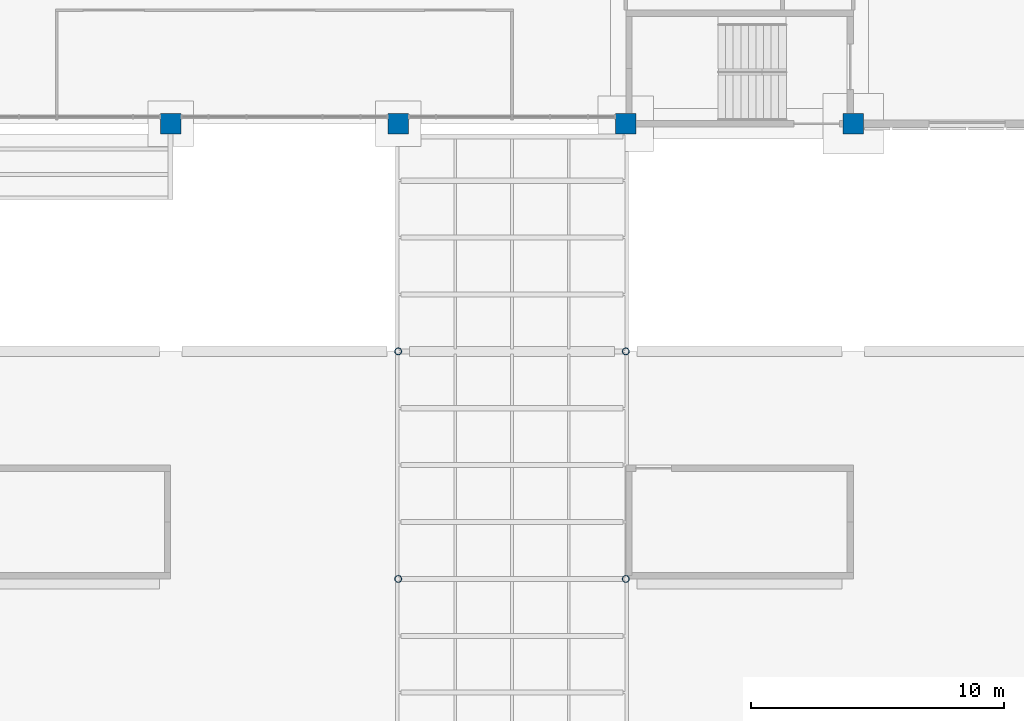
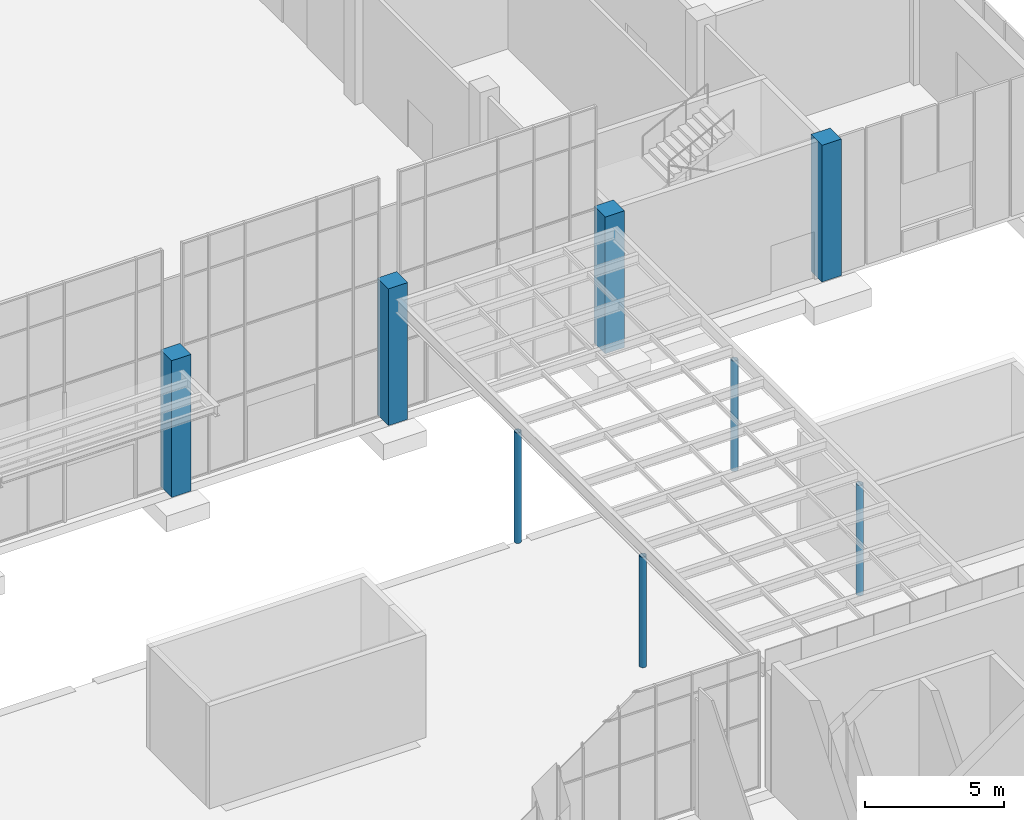
# One storey, part 7 of 86: 8 columns.
"""IFC4 building model written with IfcOpenShell, lengths in metres."""

import ifcopenshell
import ifcopenshell.guid

model = None  # the IFC model being written
_history = None  # IfcOwnerHistory: only IFC2X3 demands one
_inside = {}  # id of a spatial element -> (the spatial element, [elements in it])
_under = {}  # id of a project, library or spatial element -> (it, [spatial elements below it])
_declared = {}  # id of a project -> (the project, [libraries it declares])
_typed = {}  # id of a type object -> (the type object, [elements of that type])
_made_of = {}  # id of a material, layer set ... -> (it, [elements and type objects made of it])


def new_model(schema):
    """Start an empty IFC model of exactly this schema.

    Asked for "IFC4X3", IfcOpenShell would pick the latest addendum, in which some entities
    have other attributes; the version numbers below select the first issue.
    IFC2X3 requires an IfcOwnerHistory on every rooted entity: one is made here for all.
    """
    global model, _history
    if schema == "IFC4X3":
        model = ifcopenshell.file(schema_version=(4, 3, 0, 0))
    else:
        model = ifcopenshell.file(schema=schema)
    _inside.clear()
    _under.clear()
    _declared.clear()
    _typed.clear()
    _made_of.clear()
    _history = None
    if model.schema == "IFC2X3":
        org = make("IfcOrganization", Name="unknown")
        user = make(
            "IfcPersonAndOrganization",
            ThePerson=make("IfcPerson", FamilyName="unknown"),
            TheOrganization=org,
        )
        app = make(
            "IfcApplication",
            ApplicationDeveloper=org,
            Version="unknown",
            ApplicationFullName="unknown",
            ApplicationIdentifier="unknown",
        )
        _history = make(
            "IfcOwnerHistory",
            OwningUser=user,
            OwningApplication=app,
            ChangeAction="ADDED",
            CreationDate=0,
        )
    return model


def make(cls, **values):
    """One entity of the class cls with the attributes given. An attribute that is None is left unset."""
    return model.create_entity(
        cls, **{name: value for name, value in values.items() if value is not None}
    )


def rooted(cls, **values):
    """An entity with a GlobalId (a new one), such as an element, a storey or a relation."""
    return make(cls, GlobalId=ifcopenshell.guid.new(), OwnerHistory=_history, **values)


def si_unit(unit_type, name, prefix=None):
    """IfcSIUnit, for example si_unit("LENGTHUNIT", "METRE", prefix="MILLI")."""
    return make("IfcSIUnit", UnitType=unit_type, Prefix=prefix, Name=name)


def assignment(units):
    """IfcUnitAssignment: the units of a project."""
    return None if units is None else make("IfcUnitAssignment", Units=units)


def point(xyz):
    """IfcCartesianPoint."""
    return None if xyz is None else make("IfcCartesianPoint", Coordinates=xyz)


def direction(xyz):
    """IfcDirection."""
    return None if xyz is None else make("IfcDirection", DirectionRatios=xyz)


def frame(location, z_axis=None, x_axis=None):
    """IfcAxis2Placement3D, a coordinate frame: its origin and axes. An axis left out is left unset."""
    return make(
        "IfcAxis2Placement3D",
        Location=point(location),
        Axis=direction(z_axis),
        RefDirection=direction(x_axis),
    )


def frame_2d(location, x_axis=None):
    """IfcAxis2Placement2D, a coordinate frame in the plane: its origin and x axis."""
    return make(
        "IfcAxis2Placement2D", Location=point(location), RefDirection=direction(x_axis)
    )


def origin():
    """The frame at (0, 0, 0) with its axes left unset."""
    return frame((0.0, 0.0, 0.0))


def origin_2d():
    """The frame at (0, 0) in the plane with its x axis left unset."""
    return frame_2d((0.0, 0.0))


def place(relative_to, where):
    """IfcLocalPlacement: puts the frame where relative to a parent placement (None: the world)."""
    return make(
        "IfcLocalPlacement", PlacementRelTo=relative_to, RelativePlacement=where
    )


def context(
    kind, dimensions, precision=None, world=None, true_north=None, identifier=None
):
    """IfcGeometricRepresentationContext, for example the 3D "Model" context."""
    return make(
        "IfcGeometricRepresentationContext",
        ContextIdentifier=identifier,
        ContextType=kind,
        CoordinateSpaceDimension=dimensions,
        Precision=precision,
        WorldCoordinateSystem=world,
        TrueNorth=true_north,
    )


def subcontext(parent, identifier, kind, view, scale=None):
    """IfcGeometricRepresentationSubContext, for example "Body" below "Model"."""
    return make(
        "IfcGeometricRepresentationSubContext",
        ContextIdentifier=identifier,
        ContextType=kind,
        ParentContext=parent,
        TargetScale=scale,
        TargetView=view,
    )


def project(units=None, contexts=None):
    """IfcProject with its units and contexts."""
    return rooted(
        "IfcProject",
        Name="project",
        RepresentationContexts=contexts,
        UnitsInContext=assignment(units),
    )


def spatial(cls, under=None, at=None, **own):
    """A site, building, storey or space (cls), placed at a placement, below another one or the project."""
    s = rooted(cls, ObjectPlacement=at, **own)
    if under is not None:
        _under.setdefault(under.id(), (under, []))[1].append(s)
    return s


def profile(cls, at=None, kind="AREA", **sizes):
    """A parametric profile (cls). Its sizes go by their IFC names, for example OverallWidth=200.0."""
    return make(cls, ProfileType=kind, Position=at, **sizes)


def rectangle(**sizes):
    """IfcRectangleProfileDef."""
    return profile("IfcRectangleProfileDef", **sizes)


def hollow_circle(**sizes):
    """IfcCircleHollowProfileDef."""
    return profile("IfcCircleHollowProfileDef", **sizes)


def extrude(swept, where, along, depth):
    """IfcExtrudedAreaSolid: the profile swept, set in the frame where, extruded along a direction by depth."""
    return make(
        "IfcExtrudedAreaSolid",
        SweptArea=swept,
        Position=where,
        ExtrudedDirection=direction(along),
        Depth=depth,
    )


def shape(context_of_items, identifier, shape_type, items):
    """IfcShapeRepresentation: the items that make up one representation, for example the "Body"."""
    return make(
        "IfcShapeRepresentation",
        ContextOfItems=context_of_items,
        RepresentationIdentifier=identifier,
        RepresentationType=shape_type,
        Items=items,
    )


def material(Name=None, Category=None):
    """IfcMaterial."""
    return make("IfcMaterial", Name=Name, Category=Category)


def material_profile(
    of_material, cross_section, Name=None, Category=None, Priority=None
):
    """IfcMaterialProfile: a cross section and its material."""
    return make(
        "IfcMaterialProfile",
        Name=Name,
        Material=of_material,
        Profile=cross_section,
        Priority=Priority,
        Category=Category,
    )


def profile_set(profiles, Name=None, composite=None):
    """IfcMaterialProfileSet."""
    return make(
        "IfcMaterialProfileSet",
        Name=Name,
        MaterialProfiles=profiles,
        CompositeProfile=composite,
    )


def made_of(thing, what):
    """Note that an element or type object is made of a material, layer set ...; save() writes the relation."""
    if what is not None:
        _made_of.setdefault(what.id(), (what, []))[1].append(thing)
    return thing


def type_object(cls, material=None, **own):
    """A type object (cls), such as IfcWallType, which elements share."""
    return made_of(rooted(cls, **own), material)


def element(
    cls,
    number,
    at=None,
    inside=None,
    cuts=None,
    type_object=None,
    material=None,
    context=None,
    identifier="Body",
    shape_type=None,
    held_by="IfcProductDefinitionShape",
    body=None,
    shapes=None,
    **own,
):
    """One element of the class cls, such as IfcWall. Its Tag is "e" and its number.

    at: its placement. inside: the storey or other place that contains it. cuts: it is an
    opening in that element (IfcRelVoidsElement). A single representation is given by context,
    identifier, shape_type and body (its items); several are given by shapes. held_by: the class
    of the entity that holds the representations. save() writes the other relations.
    """
    e = rooted(cls, Tag="e%d" % number, ObjectPlacement=at, **own)
    if body is not None:
        shapes = [shape(context, identifier, shape_type, body)]
    if shapes is not None:
        e.Representation = make(held_by, Representations=shapes)
    if inside is not None:
        _inside.setdefault(inside.id(), (inside, []))[1].append(e)
    if cuts is not None:
        rooted(
            "IfcRelVoidsElement", RelatingBuildingElement=cuts, RelatedOpeningElement=e
        )
    if type_object is not None:
        _typed.setdefault(type_object.id(), (type_object, []))[1].append(e)
    return made_of(e, material)


def aggregate(whole, parts):
    """IfcRelAggregates: a whole, such as a stair, and the parts it consists of."""
    return rooted("IfcRelAggregates", RelatingObject=whole, RelatedObjects=parts)


def save(model, path):
    """Write the relations noted so far, then the file.

    IfcRelAggregates (storeys below a building ...), IfcRelContainedInSpatialStructure (elements
    in a storey), IfcRelDefinesByType, IfcRelAssociatesMaterial and IfcRelDeclares: one each for
    every whole, place, type object, material and project.
    """
    for whole, parts in _under.values():
        aggregate(whole, parts)
    for where, things in _inside.values():
        rooted(
            "IfcRelContainedInSpatialStructure",
            RelatedElements=things,
            RelatingStructure=where,
        )
    for kind, things in _typed.values():
        rooted("IfcRelDefinesByType", RelatedObjects=things, RelatingType=kind)
    for what, things in _made_of.values():
        rooted("IfcRelAssociatesMaterial", RelatedObjects=things, RelatingMaterial=what)
    for by, libraries in _declared.values():
        rooted("IfcRelDeclares", RelatingContext=by, RelatedDefinitions=libraries)
    model.write(path)


model = new_model("IFC4")

# Units and contexts
model_context = context("Model", 3, precision=1e-05, world=origin(), true_north=direction((0.0, 1.0)))
body_context = subcontext(model_context, "Body", "Model", "MODEL_VIEW")
ifc_project = project(units=[si_unit("LENGTHUNIT", "METRE"), si_unit("AREAUNIT", "SQUARE_METRE"), si_unit("VOLUMEUNIT", "CUBIC_METRE"), si_unit("PLANEANGLEUNIT", "RADIAN"), si_unit("MASSUNIT", "GRAM", prefix="KILO")], contexts=[model_context])

# Site, building, storey
site_placement = place(None, origin())
site = spatial("IfcSite", under=ifc_project, at=site_placement, CompositionType="ELEMENT")
building_placement = place(site_placement, origin())
building = spatial("IfcBuilding", under=site, at=building_placement, Name="Guidao Yard Department Store", CompositionType="ELEMENT")
storey_placement = place(building_placement, origin())
storey = spatial("IfcBuildingStorey", under=building, at=storey_placement, Name="L00", CompositionType="ELEMENT", Elevation=0.0)

# Columns
ifc_material_1 = material(Name="Concrete C40", Category="concrete")
ifc_material_profile_1 = material_profile(ifc_material_1, rectangle(XDim=0.800048828125, YDim=0.800048828125, at=origin_2d()), Name="COL 800x800")
ifc_profile_set_1 = profile_set([ifc_material_profile_1], Name="Concrete C40")
column_type_1 = type_object("IfcColumnType", Name="Column 800x800 C40", PredefinedType="COLUMN", material=ifc_profile_set_1)
for number, where, z_axis, x_axis, name in (
    (1, (135.0, 54.0, 0.0), (0.0, 0.0, 1.0), (1.0, 0.0, 0.0), "Column 16/G L00"),
    (2, (144.0, 54.0, 0.0), (0.0, 0.0, 1.0), (1.0, 0.0, 0.0), "Column 17/G L00"),
    (3, (153.0, 54.0, 0.0), (0.0, 0.0, 1.0), (1.0, 0.0, 0.0), "Column 18/G L00"),
    (4, (162.0, 54.0, 0.0), (0.0, 0.0, 1.0), (1.0, 0.0, 0.0), "Column 19/G L00"),
):
    element("IfcColumn", number, at=place(storey_placement, frame(where, z_axis=z_axis, x_axis=x_axis)), inside=storey, type_object=column_type_1, Name=name, PredefinedType="COLUMN", context=body_context, shape_type="SweptSolid", body=[
        extrude(rectangle(XDim=0.800048828125, YDim=0.800048828125, at=origin_2d()), origin(), (0.0, 0.0, 1.0), 6.0),
    ])
ifc_material_2 = material(Name="Steel Q355B", Category="steel")
ifc_material_profile_2 = material_profile(ifc_material_2, hollow_circle(Radius=0.136474609375, WallThickness=0.011962890625, at=origin_2d()), Name="CHS 273x12")
ifc_profile_set_2 = profile_set([ifc_material_profile_2], Name="Steel Q355B")
column_type_2 = type_object("IfcColumnType", Name="Walkway post CHS 273x12", PredefinedType="COLUMN", material=ifc_profile_set_2)
for number, where, z_axis, x_axis, name in (
    (5, (144.0, 36.0, 0.0), (0.0, 0.0, 1.0), (1.0, 0.0, 0.0), "Walkway post 1W"),
    (6, (153.0, 36.0, 0.0), (0.0, 0.0, 1.0), (1.0, 0.0, 0.0), "Walkway post 1E"),
    (7, (144.0, 45.0, 0.0), (0.0, 0.0, 1.0), (1.0, 0.0, 0.0), "Walkway post 2W"),
    (8, (153.0, 45.0, 0.0), (0.0, 0.0, 1.0), (1.0, 0.0, 0.0), "Walkway post 2E"),
):
    element("IfcColumn", number, at=place(storey_placement, frame(where, z_axis=z_axis, x_axis=x_axis)), inside=storey, type_object=column_type_2, Name=name, PredefinedType="COLUMN", context=body_context, shape_type="SweptSolid", body=[
        extrude(hollow_circle(Radius=0.136474609375, WallThickness=0.011962890625, at=origin_2d()), origin(), (0.0, 0.0, 1.0), 4.85009765625),
    ])

save(model, "model.ifc")
